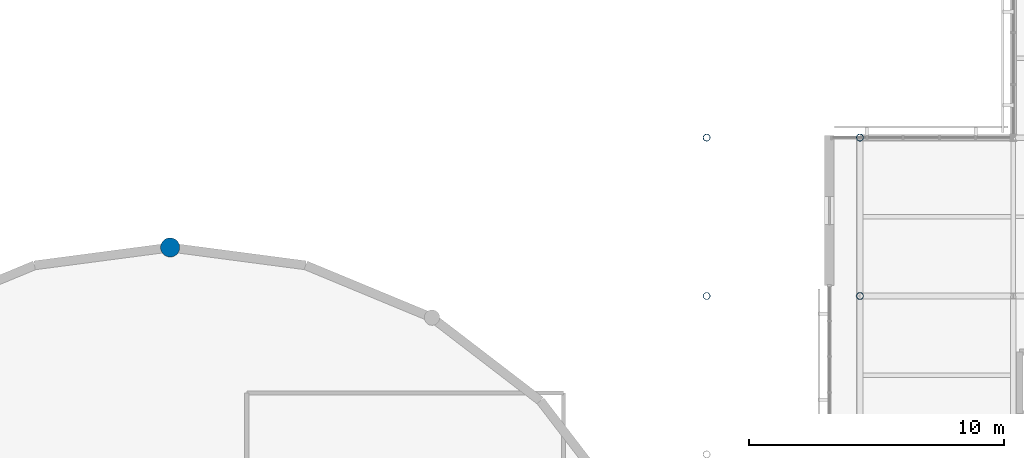
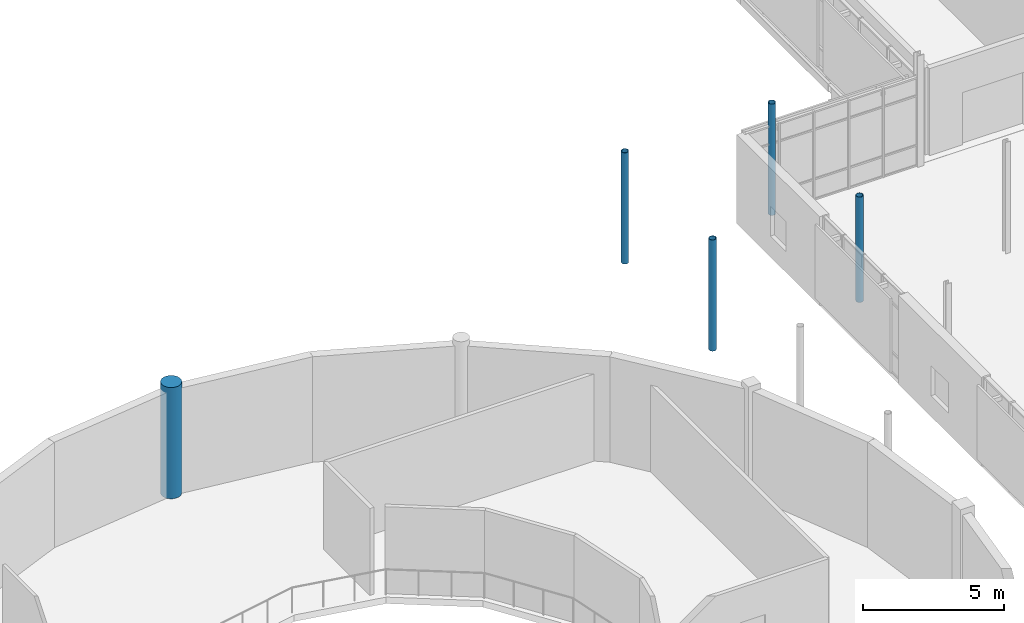
# One storey, part 11 of 66: 5 columns.
"""IFC4 building model written with IfcOpenShell, lengths in metres."""

from ifc_helpers import new_model, si_unit, direction, frame, origin, origin_2d, place, context, subcontext, project, spatial, circle, hollow_circle, extrude, material, material_profile, profile_set, type_object, element, save


model = new_model("IFC4")

# Units and contexts
model_context = context("Model", 3, precision=1e-05, world=origin(), true_north=direction((0.0, 1.0)))
body_context = subcontext(model_context, "Body", "Model", "MODEL_VIEW")
ifc_project = project(units=[si_unit("LENGTHUNIT", "METRE"), si_unit("AREAUNIT", "SQUARE_METRE"), si_unit("VOLUMEUNIT", "CUBIC_METRE"), si_unit("PLANEANGLEUNIT", "RADIAN"), si_unit("MASSUNIT", "GRAM", prefix="KILO")], contexts=[model_context])

# Site, building, storey
site_placement = place(None, origin())
site = spatial("IfcSite", under=ifc_project, at=site_placement, CompositionType="ELEMENT")
building_placement = place(site_placement, origin())
building = spatial("IfcBuilding", under=site, at=building_placement, Name="Mirzam Square Science Centre", CompositionType="ELEMENT")
storey_placement = place(building_placement, frame((0.0, 0.0, 15.60009765625)))
storey = spatial("IfcBuildingStorey", under=building, at=storey_placement, Name="L03", CompositionType="ELEMENT", Elevation=15.60009765625)

# Columns
ifc_material_1 = material(Name="Steel S355", Category="steel")
ifc_material_profile_1 = material_profile(ifc_material_1, hollow_circle(Radius=0.136474609375, WallThickness=0.010009765625, at=origin_2d()), Name="273.0x10.0CHS")
ifc_profile_set_1 = profile_set([ifc_material_profile_1], Name="Steel S355")
column_type_1 = type_object("IfcColumnType", Name="COL-CHS273", PredefinedType="COLUMN", material=ifc_profile_set_1)
for number, where, z_axis, x_axis, name in (
    (1, (102.0, 80.60009765625, 0.0), (0.0, 0.0, 1.0), (1.0, 0.0, 0.0), "L03 column G18-14"),
    (2, (102.0, 86.800048828125, 0.0), (0.0, 0.0, 1.0), (1.0, 0.0, 0.0), "L03 column G18-15"),
):
    element("IfcColumn", number, at=place(storey_placement, frame(where, z_axis=z_axis, x_axis=x_axis)), inside=storey, type_object=column_type_1, Name=name, PredefinedType="COLUMN", context=body_context, shape_type="SweptSolid", body=[
        extrude(hollow_circle(Radius=0.136474609375, WallThickness=0.010009765625, at=origin_2d()), origin(), (0.0, 0.0, 1.0), 4.7998046875),
    ])
column_1_placement = place(storey_placement, frame((108.0, 80.60009765625, 0.0), z_axis=(0.0, 0.0, 1.0), x_axis=(1.0, 0.0, 0.0)))
element("IfcColumn", 3, at=column_1_placement, inside=storey, type_object=column_type_1, Name="L03 column G19-14", PredefinedType="COLUMN", context=body_context, shape_type="SweptSolid", body=[
    extrude(hollow_circle(Radius=0.136474609375, WallThickness=0.010009765625, at=origin_2d()), origin(), (0.0, 0.0, 1.0), 4.5498046875),
])
column_2_placement = place(storey_placement, frame((108.0, 86.800048828125, 0.0), z_axis=(0.0, 0.0, 1.0), x_axis=(1.0, 0.0, 0.0)))
element("IfcColumn", 4, at=column_2_placement, inside=storey, type_object=column_type_1, Name="L03 column G19-15", PredefinedType="COLUMN", context=body_context, shape_type="SweptSolid", body=[
    extrude(hollow_circle(Radius=0.136474609375, WallThickness=0.010009765625, at=origin_2d()), origin(), (0.0, 0.0, 1.0), 4.7998046875),
])
ifc_material_2 = material(Name="Concrete C45/55", Category="concrete")
ifc_material_profile_2 = material_profile(ifc_material_2, circle(Radius=0.375, at=origin_2d()), Name="RCD750")
ifc_profile_set_2 = profile_set([ifc_material_profile_2], Name="Concrete C45/55")
column_type_2 = type_object("IfcColumnType", Name="PIL-RCD750", PredefinedType="PILASTER", material=ifc_profile_set_2)
column_3_placement = place(storey_placement, frame((81.0, 82.5, 0.0), z_axis=(0.0, 0.0, 1.0), x_axis=(1.0, 0.0, 0.0)))
element("IfcColumn", 5, at=column_3_placement, inside=storey, type_object=column_type_2, Name="L03 drum pilaster 07", PredefinedType="PILASTER", context=body_context, shape_type="SweptSolid", body=[
    extrude(circle(Radius=0.375, at=origin_2d()), origin(), (0.0, 0.0, 1.0), 4.7998046875),
])

save(model, "model.ifc")
